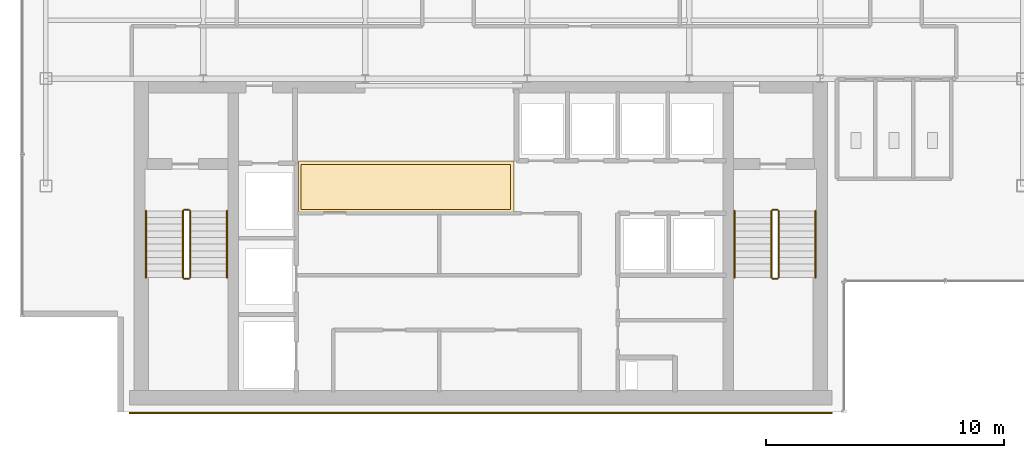
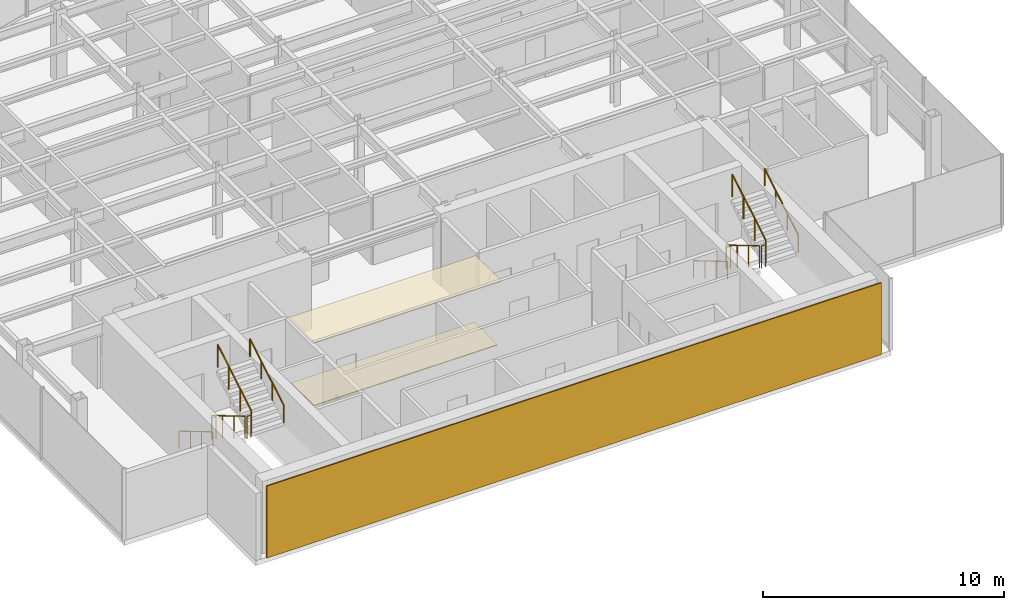
# One storey, part 20 of 22: 12 railings, 3 coverings.
"""IFC4 building model written with IfcOpenShell, lengths in metres."""

from ifc_helpers import new_model, si_unit, derived_unit, direction, frame, origin, origin_2d, place, context, subcontext, project, spatial, polyline, rectangle, circle, outline, extrude, source, transform, mapped, material, layer, layer_set, type_object, element, save


model = new_model("IFC4")

# Units and contexts
model_context = context("Model", 3, precision=1e-05, world=origin(), true_north=direction((0.0, 1.0)))
body_context = subcontext(model_context, "Body", "Model", "MODEL_VIEW")
ifc_project = project(units=[si_unit("LENGTHUNIT", "METRE"), si_unit("AREAUNIT", "SQUARE_METRE"), si_unit("VOLUMEUNIT", "CUBIC_METRE"), si_unit("PLANEANGLEUNIT", "RADIAN"), si_unit("MASSUNIT", "GRAM", prefix="KILO"), derived_unit("THERMALTRANSMITTANCEUNIT", [(si_unit("POWERUNIT", "WATT"), 1), (si_unit("LENGTHUNIT", "METRE"), -2), (si_unit("THERMODYNAMICTEMPERATUREUNIT", "KELVIN"), -1)])], contexts=[model_context])

# Site, building, storey
site_placement = place(None, origin())
site = spatial("IfcSite", under=ifc_project, at=site_placement, CompositionType="ELEMENT")
building_placement = place(site_placement, origin())
building = spatial("IfcBuilding", under=site, at=building_placement, Name="Skarnbrae Concourse Arena and Tower", CompositionType="ELEMENT")
storey_placement = place(building_placement, frame((0.0, 0.0, 280.699951171875)))
storey = spatial("IfcBuildingStorey", under=building, at=storey_placement, Name="L73", CompositionType="ELEMENT", Elevation=280.699951171875)

# Coverings
ifc_material_1 = material(Name="Mineral fibre acoustic ceiling tile", Category="other")
ifc_layer_1 = layer(ifc_material_1, 0.0400390625)
ifc_layer_set_1 = layer_set([ifc_layer_1], Name="Mineral fibre acoustic ceiling tile")
covering_type_1 = type_object("IfcCoveringType", Name="COV-CEIL-ACOUSTIC", PredefinedType="CEILING", material=ifc_layer_set_1)
covering_1_placement = place(storey_placement, frame((0.0, 0.0, 3.239990234375)))
element("IfcCovering", 1, at=covering_1_placement, inside=storey, type_object=covering_type_1, Name="L73 Lift lobby acoustic ceiling", PredefinedType="CEILING", context=body_context, shape_type="SweptSolid", body=[
    extrude(outline(polyline([(11.60009765625, 8.39990234375), (20.64990234375, 8.39990234375), (20.64990234375, 10.550048828125), (11.60009765625, 10.550048828125), (11.60009765625, 8.39990234375)])), origin(), (0.0, 0.0, 1.0), 0.0400390625),
])
ifc_material_2 = material(Name="Polished granite terrazzo flooring", Category="masonry")
ifc_layer_2 = layer(ifc_material_2, 0.0400390625)
ifc_layer_set_2 = layer_set([ifc_layer_2], Name="Polished granite terrazzo flooring")
covering_type_2 = type_object("IfcCoveringType", Name="COV-FLOOR-TERRAZZO", PredefinedType="FLOORING", material=ifc_layer_set_2)
covering_2_placement = place(storey_placement, origin())
element("IfcCovering", 2, at=covering_2_placement, inside=storey, type_object=covering_type_2, Name="L73 Lift lobby terrazzo flooring", PredefinedType="FLOORING", context=body_context, shape_type="SweptSolid", body=[
    extrude(outline(polyline([(11.699951171875, 8.5), (20.5, 8.5), (20.5, 10.39990234375), (11.699951171875, 10.39990234375), (11.699951171875, 8.5)])), origin(), (0.0, 0.0, 1.0), 0.0400390625),
])

# Railings
ifc_material_3 = material(Name="Steel CSA G40.21 350W", Category="steel")
railing_type_1 = type_object("IfcRailingType", Name="RAIL-HANDRAIL-900", PredefinedType="HANDRAIL", material=ifc_material_3)
railing_1_placement = place(storey_placement, frame((5.199951171875, 8.449951171875, 0.166015625)))
element("IfcRailing", 3, at=railing_1_placement, inside=storey, type_object=railing_type_1, Name="L73 ST-1 stair handrail 1", PredefinedType="HANDRAIL", context=body_context, shape_type="SweptSolid", body=[
    extrude(circle(Radius=0.02392578125, at=origin_2d()), frame((0.0, 0.0, 0.8759765625), z_axis=(0.0, -0.860339051648, 0.50972219513), x_axis=(1.0, 0.0, 0.0)), (0.0, 0.0, 1.0), 3.254638671875),
    extrude(circle(Radius=0.02099609375, at=origin_2d()), origin(), (0.0, 0.0, 1.0), 0.851806640625),
    extrude(circle(Radius=0.02099609375, at=origin_2d()), frame((0.0, -0.933349609375, 0.552978515625)), (0.0, 0.0, 1.0), 0.851806640625),
    extrude(circle(Radius=0.02099609375, at=origin_2d()), frame((0.0, -1.86669921875, 1.10595703125)), (0.0, 0.0, 1.0), 0.851806640625),
    extrude(circle(Radius=0.02099609375, at=origin_2d()), frame((0.0, -2.800048828125, 1.658935546875)), (0.0, 0.0, 1.0), 0.851806640625),
])
railing_2_placement = place(storey_placement, frame((8.60009765625, 5.64990234375, 1.990966796875)))
element("IfcRailing", 4, at=railing_2_placement, inside=storey, type_object=railing_type_1, Name="L73 ST-1 stair handrail 2", PredefinedType="HANDRAIL", context=body_context, shape_type="SweptSolid", body=[
    extrude(circle(Radius=0.02392578125, at=origin_2d()), frame((0.0, 0.0, 0.8759765625), z_axis=(0.0, 0.860306154799, 0.50977771628), x_axis=(-1.0, 0.0, 0.0)), (0.0, 0.0, 1.0), 3.254638671875),
    extrude(circle(Radius=0.02099609375, at=origin_2d()), origin(), (0.0, 0.0, 1.0), 0.851806640625),
    extrude(circle(Radius=0.02099609375, at=origin_2d()), frame((0.0, 0.933349609375, 0.552978515625)), (0.0, 0.0, 1.0), 0.851806640625),
    extrude(circle(Radius=0.02099609375, at=origin_2d()), frame((0.0, 1.86669921875, 1.106201171875)), (0.0, 0.0, 1.0), 0.851806640625),
    extrude(circle(Radius=0.02099609375, at=origin_2d()), frame((0.0, 2.800048828125, 1.6591796875)), (0.0, 0.0, 1.0), 0.851806640625),
])
railing_3_placement = place(storey_placement, frame((29.89990234375, 8.449951171875, 0.166015625)))
element("IfcRailing", 5, at=railing_3_placement, inside=storey, type_object=railing_type_1, Name="L73 ST-2 stair handrail 1", PredefinedType="HANDRAIL", context=body_context, shape_type="SweptSolid", body=[
    extrude(circle(Radius=0.02392578125, at=origin_2d()), frame((0.0, 0.0, 0.8759765625), z_axis=(0.0, -0.860339051648, 0.50972219513), x_axis=(1.0, 0.0, 0.0)), (0.0, 0.0, 1.0), 3.254638671875),
    extrude(circle(Radius=0.02099609375, at=origin_2d()), origin(), (0.0, 0.0, 1.0), 0.851806640625),
    extrude(circle(Radius=0.02099609375, at=origin_2d()), frame((0.0, -0.933349609375, 0.552978515625)), (0.0, 0.0, 1.0), 0.851806640625),
    extrude(circle(Radius=0.02099609375, at=origin_2d()), frame((0.0, -1.86669921875, 1.10595703125)), (0.0, 0.0, 1.0), 0.851806640625),
    extrude(circle(Radius=0.02099609375, at=origin_2d()), frame((0.0, -2.800048828125, 1.658935546875)), (0.0, 0.0, 1.0), 0.851806640625),
])
railing_4_placement = place(storey_placement, frame((33.300048828125, 5.64990234375, 1.990966796875)))
element("IfcRailing", 6, at=railing_4_placement, inside=storey, type_object=railing_type_1, Name="L73 ST-2 stair handrail 2", PredefinedType="HANDRAIL", context=body_context, shape_type="SweptSolid", body=[
    extrude(circle(Radius=0.02392578125, at=origin_2d()), frame((0.0, 0.0, 0.8759765625), z_axis=(0.0, 0.860306154799, 0.50977771628), x_axis=(-1.0, 0.0, 0.0)), (0.0, 0.0, 1.0), 3.254638671875),
    extrude(circle(Radius=0.02099609375, at=origin_2d()), origin(), (0.0, 0.0, 1.0), 0.851806640625),
    extrude(circle(Radius=0.02099609375, at=origin_2d()), frame((0.0, 0.933349609375, 0.552978515625)), (0.0, 0.0, 1.0), 0.851806640625),
    extrude(circle(Radius=0.02099609375, at=origin_2d()), frame((0.0, 1.86669921875, 1.106201171875)), (0.0, 0.0, 1.0), 0.851806640625),
    extrude(circle(Radius=0.02099609375, at=origin_2d()), frame((0.0, 2.800048828125, 1.6591796875)), (0.0, 0.0, 1.0), 0.851806640625),
])
railing_type_2 = type_object("IfcRailingType", Name="RAIL-STAIR-GUARD-1150", PredefinedType="GUARDRAIL", material=ifc_material_3)
railing_5_placement = place(storey_placement, frame((6.75, 8.449951171875, 0.166015625)))
element("IfcRailing", 7, at=railing_5_placement, inside=storey, type_object=railing_type_2, Name="L73 ST-1 stair guard 1", PredefinedType="GUARDRAIL", context=body_context, shape_type="SweptSolid", body=[
    extrude(circle(Radius=0.02392578125, at=origin_2d()), frame((0.0, 0.0, 1.1259765625), z_axis=(0.0, -0.860339051648, 0.50972219513), x_axis=(1.0, 0.0, 0.0)), (0.0, 0.0, 1.0), 3.254638671875),
    extrude(circle(Radius=0.02099609375, at=origin_2d()), origin(), (0.0, 0.0, 1.0), 1.101806640625),
    extrude(circle(Radius=0.02099609375, at=origin_2d()), frame((0.0, -0.933349609375, 0.552978515625)), (0.0, 0.0, 1.0), 1.101806640625),
    extrude(circle(Radius=0.02099609375, at=origin_2d()), frame((0.0, -1.86669921875, 1.10595703125)), (0.0, 0.0, 1.0), 1.101806640625),
    extrude(circle(Radius=0.02099609375, at=origin_2d()), frame((0.0, -2.800048828125, 1.658935546875)), (0.0, 0.0, 1.0), 1.101806640625),
])
railing_6_placement = place(storey_placement, frame((6.800048828125, 5.60009765625, 1.824951171875)))
element("IfcRailing", 8, at=railing_6_placement, inside=storey, type_object=railing_type_2, Name="L73 ST-1 stair guard 2", PredefinedType="GUARDRAIL", context=body_context, shape_type="SweptSolid", body=[
    extrude(circle(Radius=0.02392578125, at=origin_2d()), frame((0.0, 0.0, 1.1259765625), z_axis=(1.0, 0.0, 0.0), x_axis=(0.0, 1.0, 0.0)), (0.0, 0.0, 1.0), 0.199951171875),
    extrude(circle(Radius=0.02099609375, at=origin_2d()), origin(), (0.0, 0.0, 1.0), 1.101806640625),
    extrude(circle(Radius=0.02099609375, at=origin_2d()), frame((0.199951171875, 0.0, 0.0)), (0.0, 0.0, 1.0), 1.101806640625),
])
railing_7_placement = place(storey_placement, frame((7.050048828125, 5.64990234375, 1.990966796875)))
element("IfcRailing", 9, at=railing_7_placement, inside=storey, type_object=railing_type_2, Name="L73 ST-1 stair guard 3", PredefinedType="GUARDRAIL", context=body_context, shape_type="SweptSolid", body=[
    extrude(circle(Radius=0.02392578125, at=origin_2d()), frame((0.0, 0.0, 1.1259765625), z_axis=(0.0, 0.860306154799, 0.50977771628), x_axis=(-1.0, 0.0, 0.0)), (0.0, 0.0, 1.0), 3.254638671875),
    extrude(circle(Radius=0.02099609375, at=origin_2d()), origin(), (0.0, 0.0, 1.0), 1.101806640625),
    extrude(circle(Radius=0.02099609375, at=origin_2d()), frame((0.0, 0.933349609375, 0.552978515625)), (0.0, 0.0, 1.0), 1.101806640625),
    extrude(circle(Radius=0.02099609375, at=origin_2d()), frame((0.0, 1.86669921875, 1.106201171875)), (0.0, 0.0, 1.0), 1.101806640625),
    extrude(circle(Radius=0.02099609375, at=origin_2d()), frame((0.0, 2.800048828125, 1.6591796875)), (0.0, 0.0, 1.0), 1.101806640625),
])
railing_8_placement = place(storey_placement, frame((6.800048828125, 8.5, 0.0)))
element("IfcRailing", 10, at=railing_8_placement, inside=storey, type_object=railing_type_2, Name="L73 ST-1 stair guard 4", PredefinedType="GUARDRAIL", context=body_context, shape_type="SweptSolid", body=[
    extrude(circle(Radius=0.02392578125, at=origin_2d()), frame((0.0, 0.0, 1.1259765625), z_axis=(1.0, 0.0, 0.0), x_axis=(0.0, 1.0, 0.0)), (0.0, 0.0, 1.0), 0.199951171875),
    extrude(circle(Radius=0.02099609375, at=origin_2d()), origin(), (0.0, 0.0, 1.0), 1.101806640625),
    extrude(circle(Radius=0.02099609375, at=origin_2d()), frame((0.199951171875, 0.0, 0.0)), (0.0, 0.0, 1.0), 1.101806640625),
])
railing_9_placement = place(storey_placement, frame((31.449951171875, 8.449951171875, 0.166015625)))
element("IfcRailing", 11, at=railing_9_placement, inside=storey, type_object=railing_type_2, Name="L73 ST-2 stair guard 1", PredefinedType="GUARDRAIL", context=body_context, shape_type="SweptSolid", body=[
    extrude(circle(Radius=0.02392578125, at=origin_2d()), frame((0.0, 0.0, 1.1259765625), z_axis=(0.0, -0.860339051648, 0.50972219513), x_axis=(1.0, 0.0, 0.0)), (0.0, 0.0, 1.0), 3.254638671875),
    extrude(circle(Radius=0.02099609375, at=origin_2d()), origin(), (0.0, 0.0, 1.0), 1.101806640625),
    extrude(circle(Radius=0.02099609375, at=origin_2d()), frame((0.0, -0.933349609375, 0.552978515625)), (0.0, 0.0, 1.0), 1.101806640625),
    extrude(circle(Radius=0.02099609375, at=origin_2d()), frame((0.0, -1.86669921875, 1.10595703125)), (0.0, 0.0, 1.0), 1.101806640625),
    extrude(circle(Radius=0.02099609375, at=origin_2d()), frame((0.0, -2.800048828125, 1.658935546875)), (0.0, 0.0, 1.0), 1.101806640625),
])
railing_10_placement = place(storey_placement, frame((31.5, 5.60009765625, 1.824951171875)))
element("IfcRailing", 12, at=railing_10_placement, inside=storey, type_object=railing_type_2, Name="L73 ST-2 stair guard 2", PredefinedType="GUARDRAIL", context=body_context, shape_type="SweptSolid", body=[
    extrude(circle(Radius=0.02392578125, at=origin_2d()), frame((0.0, 0.0, 1.1259765625), z_axis=(1.0, 0.0, 0.0), x_axis=(0.0, 1.0, 0.0)), (0.0, 0.0, 1.0), 0.199951171875),
    extrude(circle(Radius=0.02099609375, at=origin_2d()), origin(), (0.0, 0.0, 1.0), 1.101806640625),
    extrude(circle(Radius=0.02099609375, at=origin_2d()), frame((0.199951171875, 0.0, 0.0)), (0.0, 0.0, 1.0), 1.101806640625),
])
railing_11_placement = place(storey_placement, frame((31.75, 5.64990234375, 1.990966796875)))
element("IfcRailing", 13, at=railing_11_placement, inside=storey, type_object=railing_type_2, Name="L73 ST-2 stair guard 3", PredefinedType="GUARDRAIL", context=body_context, shape_type="SweptSolid", body=[
    extrude(circle(Radius=0.02392578125, at=origin_2d()), frame((0.0, 0.0, 1.1259765625), z_axis=(0.0, 0.860306154799, 0.50977771628), x_axis=(-1.0, 0.0, 0.0)), (0.0, 0.0, 1.0), 3.254638671875),
    extrude(circle(Radius=0.02099609375, at=origin_2d()), origin(), (0.0, 0.0, 1.0), 1.101806640625),
    extrude(circle(Radius=0.02099609375, at=origin_2d()), frame((0.0, 0.933349609375, 0.552978515625)), (0.0, 0.0, 1.0), 1.101806640625),
    extrude(circle(Radius=0.02099609375, at=origin_2d()), frame((0.0, 1.86669921875, 1.106201171875)), (0.0, 0.0, 1.0), 1.101806640625),
    extrude(circle(Radius=0.02099609375, at=origin_2d()), frame((0.0, 2.800048828125, 1.6591796875)), (0.0, 0.0, 1.0), 1.101806640625),
])
railing_12_placement = place(storey_placement, frame((31.5, 8.5, 0.0)))
element("IfcRailing", 14, at=railing_12_placement, inside=storey, type_object=railing_type_2, Name="L73 ST-2 stair guard 4", PredefinedType="GUARDRAIL", context=body_context, shape_type="SweptSolid", body=[
    extrude(circle(Radius=0.02392578125, at=origin_2d()), frame((0.0, 0.0, 1.1259765625), z_axis=(1.0, 0.0, 0.0), x_axis=(0.0, 1.0, 0.0)), (0.0, 0.0, 1.0), 0.199951171875),
    extrude(circle(Radius=0.02099609375, at=origin_2d()), origin(), (0.0, 0.0, 1.0), 1.101806640625),
    extrude(circle(Radius=0.02099609375, at=origin_2d()), frame((0.199951171875, 0.0, 0.0)), (0.0, 0.0, 1.0), 1.101806640625),
])

# Covering
ifc_material_4 = material(Name="Bronze anodised aluminium 6063-T6", Category="aluminium")
ifc_layer_3 = layer(ifc_material_4, 0.06005859375)
ifc_layer_set_3 = layer_set([ifc_layer_3], Name="Bronze anodised aluminium 6063-T6")
covering_type_3 = type_object("IfcCoveringType", Name="COV-CLAD-BRONZE-60", PredefinedType="CLADDING", material=ifc_layer_set_3)
shared_shape = source(origin(), body_context, "Body", "SweptSolid", [
    extrude(rectangle(XDim=29.5, YDim=0.06005859375, at=origin_2d()), origin(), (0.0, 0.0, 1.0), 3.64990234375),
])
covering_3_placement = place(storey_placement, frame((19.25, -0.030029296875, 0.0), z_axis=(0.0, 0.0, 1.0), x_axis=(1.0, 0.0, 0.0)))
element("IfcCovering", 15, at=covering_3_placement, inside=storey, type_object=covering_type_3, Name="L73 Rear-core plumb spine bronze rainscreen panel", PredefinedType="CLADDING", context=body_context, shape_type="MappedRepresentation", body=[
    mapped(shared_shape, transform((0.0, 0.0, 0.0))),
])

save(model, "model.ifc")
